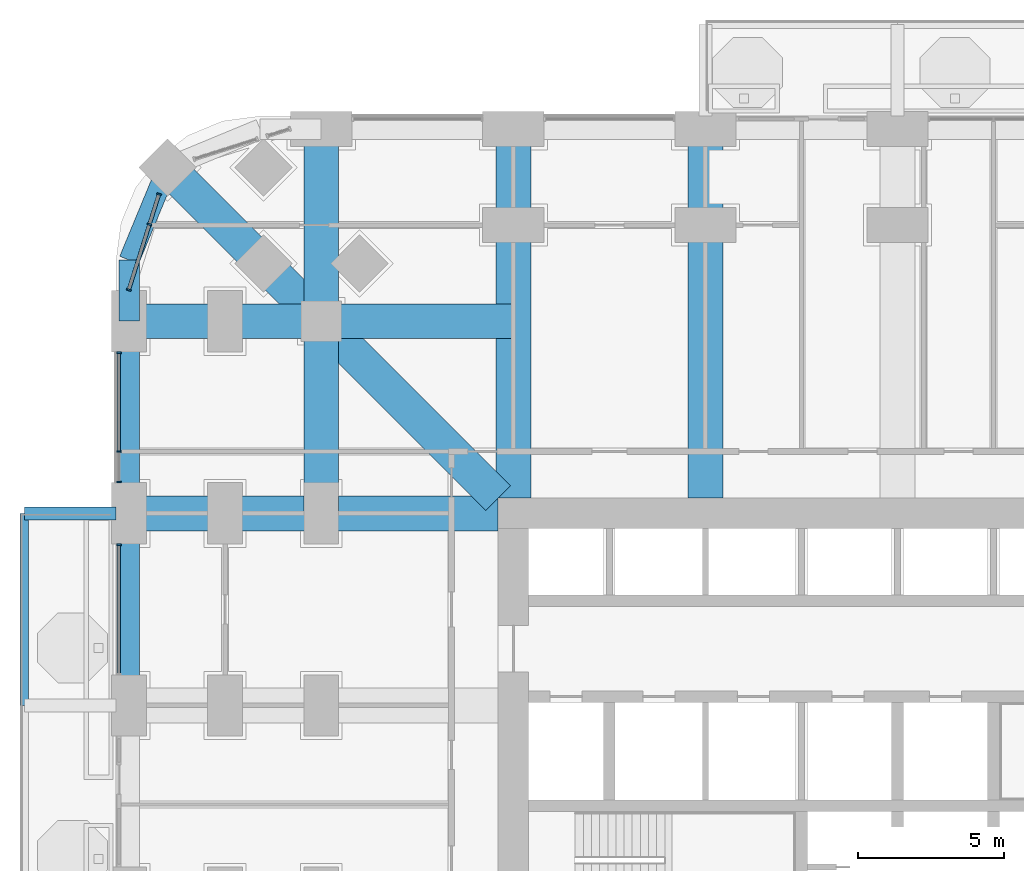
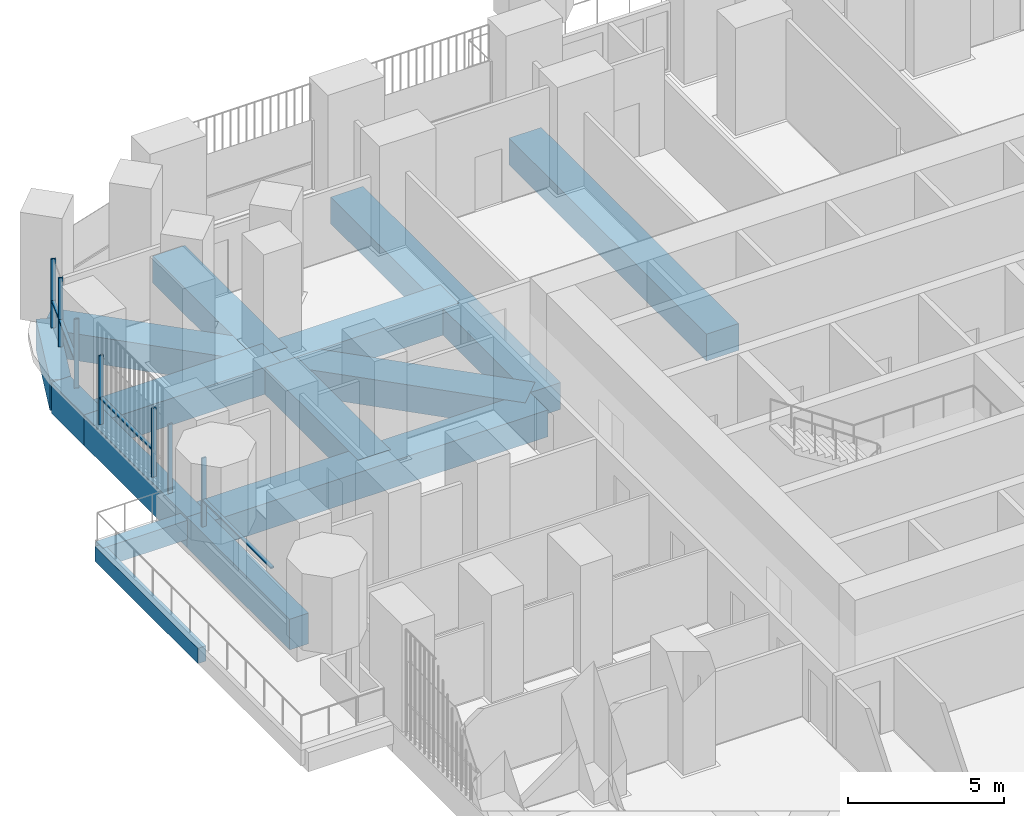
# One storey, part 6 of 26: 15 beams, 11 members, 3 elements without a shape of their own.
"""IFC4 building model written with IfcOpenShell, lengths in metres."""

import ifcopenshell
import ifcopenshell.guid

model = None  # the IFC model being written
_history = None  # IfcOwnerHistory: only IFC2X3 demands one
_inside = {}  # id of a spatial element -> (the spatial element, [elements in it])
_under = {}  # id of a project, library or spatial element -> (it, [spatial elements below it])
_declared = {}  # id of a project -> (the project, [libraries it declares])
_typed = {}  # id of a type object -> (the type object, [elements of that type])
_made_of = {}  # id of a material, layer set ... -> (it, [elements and type objects made of it])


def new_model(schema):
    """Start an empty IFC model of exactly this schema.

    Asked for "IFC4X3", IfcOpenShell would pick the latest addendum, in which some entities
    have other attributes; the version numbers below select the first issue.
    IFC2X3 requires an IfcOwnerHistory on every rooted entity: one is made here for all.
    """
    global model, _history
    if schema == "IFC4X3":
        model = ifcopenshell.file(schema_version=(4, 3, 0, 0))
    else:
        model = ifcopenshell.file(schema=schema)
    _inside.clear()
    _under.clear()
    _declared.clear()
    _typed.clear()
    _made_of.clear()
    _history = None
    if model.schema == "IFC2X3":
        org = make("IfcOrganization", Name="unknown")
        user = make(
            "IfcPersonAndOrganization",
            ThePerson=make("IfcPerson", FamilyName="unknown"),
            TheOrganization=org,
        )
        app = make(
            "IfcApplication",
            ApplicationDeveloper=org,
            Version="unknown",
            ApplicationFullName="unknown",
            ApplicationIdentifier="unknown",
        )
        _history = make(
            "IfcOwnerHistory",
            OwningUser=user,
            OwningApplication=app,
            ChangeAction="ADDED",
            CreationDate=0,
        )
    return model


def make(cls, **values):
    """One entity of the class cls with the attributes given. An attribute that is None is left unset."""
    return model.create_entity(
        cls, **{name: value for name, value in values.items() if value is not None}
    )


def rooted(cls, **values):
    """An entity with a GlobalId (a new one), such as an element, a storey or a relation."""
    return make(cls, GlobalId=ifcopenshell.guid.new(), OwnerHistory=_history, **values)


def si_unit(unit_type, name, prefix=None):
    """IfcSIUnit, for example si_unit("LENGTHUNIT", "METRE", prefix="MILLI")."""
    return make("IfcSIUnit", UnitType=unit_type, Prefix=prefix, Name=name)


def assignment(units):
    """IfcUnitAssignment: the units of a project."""
    return None if units is None else make("IfcUnitAssignment", Units=units)


def point(xyz):
    """IfcCartesianPoint."""
    return None if xyz is None else make("IfcCartesianPoint", Coordinates=xyz)


def direction(xyz):
    """IfcDirection."""
    return None if xyz is None else make("IfcDirection", DirectionRatios=xyz)


def frame(location, z_axis=None, x_axis=None):
    """IfcAxis2Placement3D, a coordinate frame: its origin and axes. An axis left out is left unset."""
    return make(
        "IfcAxis2Placement3D",
        Location=point(location),
        Axis=direction(z_axis),
        RefDirection=direction(x_axis),
    )


def frame_2d(location, x_axis=None):
    """IfcAxis2Placement2D, a coordinate frame in the plane: its origin and x axis."""
    return make(
        "IfcAxis2Placement2D", Location=point(location), RefDirection=direction(x_axis)
    )


def origin():
    """The frame at (0, 0, 0) with its axes left unset."""
    return frame((0.0, 0.0, 0.0))


def origin_2d():
    """The frame at (0, 0) in the plane with its x axis left unset."""
    return frame_2d((0.0, 0.0))


def place(relative_to, where):
    """IfcLocalPlacement: puts the frame where relative to a parent placement (None: the world)."""
    return make(
        "IfcLocalPlacement", PlacementRelTo=relative_to, RelativePlacement=where
    )


def context(
    kind, dimensions, precision=None, world=None, true_north=None, identifier=None
):
    """IfcGeometricRepresentationContext, for example the 3D "Model" context."""
    return make(
        "IfcGeometricRepresentationContext",
        ContextIdentifier=identifier,
        ContextType=kind,
        CoordinateSpaceDimension=dimensions,
        Precision=precision,
        WorldCoordinateSystem=world,
        TrueNorth=true_north,
    )


def subcontext(parent, identifier, kind, view, scale=None):
    """IfcGeometricRepresentationSubContext, for example "Body" below "Model"."""
    return make(
        "IfcGeometricRepresentationSubContext",
        ContextIdentifier=identifier,
        ContextType=kind,
        ParentContext=parent,
        TargetScale=scale,
        TargetView=view,
    )


def project(units=None, contexts=None):
    """IfcProject with its units and contexts."""
    return rooted(
        "IfcProject",
        Name="project",
        RepresentationContexts=contexts,
        UnitsInContext=assignment(units),
    )


def spatial(cls, under=None, at=None, **own):
    """A site, building, storey or space (cls), placed at a placement, below another one or the project."""
    s = rooted(cls, ObjectPlacement=at, **own)
    if under is not None:
        _under.setdefault(under.id(), (under, []))[1].append(s)
    return s


def profile(cls, at=None, kind="AREA", **sizes):
    """A parametric profile (cls). Its sizes go by their IFC names, for example OverallWidth=200.0."""
    return make(cls, ProfileType=kind, Position=at, **sizes)


def rectangle(**sizes):
    """IfcRectangleProfileDef."""
    return profile("IfcRectangleProfileDef", **sizes)


def extrude(swept, where, along, depth):
    """IfcExtrudedAreaSolid: the profile swept, set in the frame where, extruded along a direction by depth."""
    return make(
        "IfcExtrudedAreaSolid",
        SweptArea=swept,
        Position=where,
        ExtrudedDirection=direction(along),
        Depth=depth,
    )


def shape(context_of_items, identifier, shape_type, items):
    """IfcShapeRepresentation: the items that make up one representation, for example the "Body"."""
    return make(
        "IfcShapeRepresentation",
        ContextOfItems=context_of_items,
        RepresentationIdentifier=identifier,
        RepresentationType=shape_type,
        Items=items,
    )


def material(Name=None, Category=None):
    """IfcMaterial."""
    return make("IfcMaterial", Name=Name, Category=Category)


def material_profile(
    of_material, cross_section, Name=None, Category=None, Priority=None
):
    """IfcMaterialProfile: a cross section and its material."""
    return make(
        "IfcMaterialProfile",
        Name=Name,
        Material=of_material,
        Profile=cross_section,
        Priority=Priority,
        Category=Category,
    )


def profile_set(profiles, Name=None, composite=None):
    """IfcMaterialProfileSet."""
    return make(
        "IfcMaterialProfileSet",
        Name=Name,
        MaterialProfiles=profiles,
        CompositeProfile=composite,
    )


def made_of(thing, what):
    """Note that an element or type object is made of a material, layer set ...; save() writes the relation."""
    if what is not None:
        _made_of.setdefault(what.id(), (what, []))[1].append(thing)
    return thing


def type_object(cls, material=None, **own):
    """A type object (cls), such as IfcWallType, which elements share."""
    return made_of(rooted(cls, **own), material)


def element(
    cls,
    number,
    at=None,
    inside=None,
    cuts=None,
    type_object=None,
    material=None,
    context=None,
    identifier="Body",
    shape_type=None,
    held_by="IfcProductDefinitionShape",
    body=None,
    shapes=None,
    **own,
):
    """One element of the class cls, such as IfcWall. Its Tag is "e" and its number.

    at: its placement. inside: the storey or other place that contains it. cuts: it is an
    opening in that element (IfcRelVoidsElement). A single representation is given by context,
    identifier, shape_type and body (its items); several are given by shapes. held_by: the class
    of the entity that holds the representations. save() writes the other relations.
    """
    e = rooted(cls, Tag="e%d" % number, ObjectPlacement=at, **own)
    if body is not None:
        shapes = [shape(context, identifier, shape_type, body)]
    if shapes is not None:
        e.Representation = make(held_by, Representations=shapes)
    if inside is not None:
        _inside.setdefault(inside.id(), (inside, []))[1].append(e)
    if cuts is not None:
        rooted(
            "IfcRelVoidsElement", RelatingBuildingElement=cuts, RelatedOpeningElement=e
        )
    if type_object is not None:
        _typed.setdefault(type_object.id(), (type_object, []))[1].append(e)
    return made_of(e, material)


def aggregate(whole, parts):
    """IfcRelAggregates: a whole, such as a stair, and the parts it consists of."""
    return rooted("IfcRelAggregates", RelatingObject=whole, RelatedObjects=parts)


def save(model, path):
    """Write the relations noted so far, then the file.

    IfcRelAggregates (storeys below a building ...), IfcRelContainedInSpatialStructure (elements
    in a storey), IfcRelDefinesByType, IfcRelAssociatesMaterial and IfcRelDeclares: one each for
    every whole, place, type object, material and project.
    """
    for whole, parts in _under.values():
        aggregate(whole, parts)
    for where, things in _inside.values():
        rooted(
            "IfcRelContainedInSpatialStructure",
            RelatedElements=things,
            RelatingStructure=where,
        )
    for kind, things in _typed.values():
        rooted("IfcRelDefinesByType", RelatedObjects=things, RelatingType=kind)
    for what, things in _made_of.values():
        rooted("IfcRelAssociatesMaterial", RelatedObjects=things, RelatingMaterial=what)
    for by, libraries in _declared.values():
        rooted("IfcRelDeclares", RelatingContext=by, RelatedDefinitions=libraries)
    model.write(path)


model = new_model("IFC4")

# Units and contexts
model_context = context("Model", 3, precision=1e-05, world=origin(), true_north=direction((0.0, 1.0)))
body_context = subcontext(model_context, "Body", "Model", "MODEL_VIEW")
ifc_project = project(units=[si_unit("LENGTHUNIT", "METRE"), si_unit("AREAUNIT", "SQUARE_METRE"), si_unit("VOLUMEUNIT", "CUBIC_METRE"), si_unit("PLANEANGLEUNIT", "RADIAN"), si_unit("MASSUNIT", "GRAM", prefix="KILO")], contexts=[model_context])

# Site, building, storey
site_placement = place(None, origin())
site = spatial("IfcSite", under=ifc_project, at=site_placement, CompositionType="ELEMENT")
building_placement = place(site_placement, origin())
building = spatial("IfcBuilding", under=site, at=building_placement, Name="Cobogo Forest Laboratory Tower", CompositionType="ELEMENT")
storey_placement = place(building_placement, frame((0.0, 0.0, 25.5)))
storey = spatial("IfcBuildingStorey", under=building, at=storey_placement, Name="L05", CompositionType="ELEMENT", Elevation=25.5)

# Beams
ifc_material_1 = material(Name="Concrete HA-40 (C40/50)", Category="concrete")
ifc_material_profile_1 = material_profile(ifc_material_1, rectangle(XDim=0.449951171875, YDim=0.75, at=origin_2d()), Name="RC 450x750")
ifc_profile_set_1 = profile_set([ifc_material_profile_1], Name="Concrete HA-40 (C40/50)")
beam_type_1 = type_object("IfcBeamType", Name="Balcony cantilever beam 450x750", PredefinedType="BEAM", material=ifc_profile_set_1)
beam_1_placement = place(storey_placement, frame((-0.449951171875, 33.0, -0.625), z_axis=(-1.0, 0.0, 0.0), x_axis=(0.0, -1.0, 0.0)))
element("IfcBeam", 1, at=beam_1_placement, inside=storey, type_object=beam_type_1, Name="CB1 BAL-W1-C3 L05", PredefinedType="BEAM", context=body_context, shape_type="SweptSolid", body=[
    extrude(rectangle(XDim=0.449951171875, YDim=0.75, at=origin_2d()), origin(), (0.0, 0.0, 1.0), 3.150146484375),
])
ifc_material_profile_2 = material_profile(ifc_material_1, rectangle(XDim=0.300048828125, YDim=0.60009765625, at=origin_2d()), Name="RC 300x600")
ifc_profile_set_2 = profile_set([ifc_material_profile_2], Name="Concrete HA-40 (C40/50)")
beam_type_2 = type_object("IfcBeamType", Name="Balcony edge beam 300x600", PredefinedType="BEAM", material=ifc_profile_set_2)
beam_2_placement = place(storey_placement, frame((-3.60009765625, 26.39990234375, -0.550048828125), z_axis=(0.0, 1.0, 0.0), x_axis=(-1.0, 0.0, 0.0)))
element("IfcBeam", 2, at=beam_2_placement, inside=storey, type_object=beam_type_2, Name="BB1 BAL-W1-T2 L05", PredefinedType="BEAM", context=body_context, shape_type="SweptSolid", body=[
    extrude(rectangle(XDim=0.300048828125, YDim=0.60009765625, at=origin_2d()), origin(), (0.0, 0.0, 1.0), 6.60009765625),
])
ifc_material_profile_3 = material_profile(ifc_material_1, rectangle(XDim=1.199951171875, YDim=1.050048828125, at=origin_2d()), Name="RC 1200x1050")
ifc_profile_set_3 = profile_set([ifc_material_profile_3], Name="Concrete HA-40 (C40/50)")
beam_type_3 = type_object("IfcBeamType", Name="Laboratory floor wide beam 1200x1050", PredefinedType="BEAM", material=ifc_profile_set_3)
for number, where, z_axis, x_axis, name in (
    (3, (13.199951171875, 33.52490234375, -0.824951171875), (0.0, 1.0, 0.0), (-1.0, 0.0, 0.0), "RB1 R-3-N L05"),
    (4, (19.800048828125, 33.52490234375, -0.824951171875), (0.0, 1.0, 0.0), (-1.0, 0.0, 0.0), "RB1 R-4-N L05"),
    (5, (12.675048828125, 33.0, -0.824951171875), (-1.0, 0.0, 0.0), (0.0, -1.0, 0.0), "RB1 R-F-W L05"),
):
    element("IfcBeam", number, at=place(storey_placement, frame(where, z_axis=z_axis, x_axis=x_axis)), inside=storey, type_object=beam_type_3, Name=name, PredefinedType="BEAM", context=body_context, shape_type="SweptSolid", body=[
        extrude(rectangle(XDim=1.199951171875, YDim=1.050048828125, at=origin_2d()), origin(), (0.0, 0.0, 1.0), 12.675048828125),
    ])
beam_3_placement = place(storey_placement, frame((6.60009765625, 46.199951171875, -0.824951171875), z_axis=(0.0, -1.0, 0.0), x_axis=(1.0, 0.0, 0.0)))
element("IfcBeam", 6, at=beam_3_placement, inside=storey, type_object=beam_type_3, Name="RB1 G-NW-XF L05", PredefinedType="BEAM", context=body_context, shape_type="SweptSolid", body=[
    extrude(rectangle(XDim=1.199951171875, YDim=1.050048828125, at=origin_2d()), origin(), (0.0, 0.0, 1.0), 6.599853515625),
])
for number, where, z_axis, x_axis, name in (
    (7, (6.60009765625, 39.60009765625, -0.824951171875), (0.0, -1.0, 0.0), (1.0, 0.0, 0.0), "RB1 G-NW-XC L05"),
    (8, (0.0, 39.60009765625, -0.824951171875), (1.0, 0.0, 0.0), (0.0, 1.0, 0.0), "RB1 G-NW-YF L05"),
):
    element("IfcBeam", number, at=place(storey_placement, frame(where, z_axis=z_axis, x_axis=x_axis)), inside=storey, type_object=beam_type_3, Name=name, PredefinedType="BEAM", context=body_context, shape_type="SweptSolid", body=[
        extrude(rectangle(XDim=1.199951171875, YDim=1.050048828125, at=origin_2d()), origin(), (0.0, 0.0, 1.0), 6.60009765625),
    ])
beam_4_placement = place(storey_placement, frame((6.60009765625, 39.60009765625, -0.824951171875), z_axis=(1.0, 0.0, 0.0), x_axis=(0.0, 1.0, 0.0)))
element("IfcBeam", 9, at=beam_4_placement, inside=storey, type_object=beam_type_3, Name="RB1 G-NW-YC L05", PredefinedType="BEAM", context=body_context, shape_type="SweptSolid", body=[
    extrude(rectangle(XDim=1.199951171875, YDim=1.050048828125, at=origin_2d()), origin(), (0.0, 0.0, 1.0), 6.599853515625),
])
beam_5_placement = place(storey_placement, frame((1.318115234375, 44.882080078125, -0.824951171875), z_axis=(0.707106781187, -0.707106781187, 0.0), x_axis=(0.707106781187, 0.707106781187, 0.0)))
element("IfcBeam", 10, at=beam_5_placement, inside=storey, type_object=beam_type_3, Name="RB1 G-NW-D1 L05", PredefinedType="BEAM", context=body_context, shape_type="SweptSolid", body=[
    extrude(rectangle(XDim=1.199951171875, YDim=1.050048828125, at=origin_2d()), origin(), (0.0, 0.0, 1.0), 7.469970703125),
])
beam_6_placement = place(storey_placement, frame((6.60009765625, 39.60009765625, -0.824951171875), z_axis=(0.707092572697, -0.70712098939, 0.0), x_axis=(0.70712098939, 0.707092572697, 0.0)))
element("IfcBeam", 11, at=beam_6_placement, inside=storey, type_object=beam_type_3, Name="RB1 G-NW-D2 L05", PredefinedType="BEAM", context=body_context, shape_type="SweptSolid", body=[
    extrude(rectangle(XDim=1.199951171875, YDim=1.050048828125, at=origin_2d()), origin(), (0.0, 0.0, 1.0), 8.591552734375),
])

# Curtain wall, members
ifc_material_2 = material(Name="Aluminium curtain wall", Category="aluminium")
curtain_wall_type = type_object("IfcCurtainWallType", Name="CW-1 unitised curtain wall, clear glazing, laboratory floors zones A and B", PredefinedType="USERDEFINED", material=ifc_material_2)
curtain_wall_1_placement = place(storey_placement, origin())
curtain_wall_1 = element("IfcCurtainWall", 12, at=curtain_wall_1_placement, inside=storey, type_object=curtain_wall_type, Name="Curtain wall 26 L05", ObjectType="UNITISED CURTAIN WALL", PredefinedType="USERDEFINED")
ifc_material_3 = material(Name="Aluminium mullion", Category="aluminium")
ifc_material_profile_4 = material_profile(ifc_material_3, rectangle(XDim=0.06005859375, YDim=0.159912109375, at=origin_2d()), Name="AL 60x160")
ifc_profile_set_4 = profile_set([ifc_material_profile_4], Name="Aluminium mullion")
member_type_1 = type_object("IfcMemberType", Name="MU-1 aluminium mullion 60x160", PredefinedType="MULLION", material=ifc_profile_set_4)
member_1_placement = place(storey_placement, frame((1.02734375, 43.961181640625, 0.0), z_axis=(0.0, 0.0, 1.0), x_axis=(-0.30113535792, -0.95358140513, 0.0)))
member_1 = element("IfcMember", 13, at=member_1_placement, type_object=member_type_1, Name="CW-1 mullion 1", PredefinedType="MULLION", context=body_context, shape_type="SweptSolid", body=[
    extrude(rectangle(XDim=0.06005859375, YDim=0.159912109375, at=origin_2d()), origin(), (0.0, 0.0, 1.0), 2.699951171875),
])
member_2_placement = place(storey_placement, frame((0.69970703125, 42.924072265625, 0.0), z_axis=(0.0, 0.0, 1.0), x_axis=(-0.30113535792, -0.95358140513, 0.0)))
member_2 = element("IfcMember", 14, at=member_2_placement, type_object=member_type_1, Name="CW-1 mullion 2", PredefinedType="MULLION", context=body_context, shape_type="SweptSolid", body=[
    extrude(rectangle(XDim=0.06005859375, YDim=0.159912109375, at=origin_2d()), origin(), (0.0, 0.0, 1.0), 2.699951171875),
])
member_3_placement = place(storey_placement, frame((-0.00927734375, 40.6787109375, 0.0), z_axis=(0.0, 0.0, 1.0), x_axis=(-0.30113535792, -0.95358140513, 0.0)))
member_3 = element("IfcMember", 15, at=member_3_placement, type_object=member_type_1, Name="CW-1 mullion 3", PredefinedType="MULLION", context=body_context, shape_type="SweptSolid", body=[
    extrude(rectangle(XDim=0.06005859375, YDim=0.159912109375, at=origin_2d()), origin(), (0.0, 0.0, 1.0), 2.699951171875),
])

curtain_wall_2_placement = place(storey_placement, origin())
curtain_wall_2 = element("IfcCurtainWall", 16, at=curtain_wall_2_placement, inside=storey, type_object=curtain_wall_type, Name="Curtain wall 27 L05", ObjectType="UNITISED CURTAIN WALL", PredefinedType="USERDEFINED")
member_4_placement = place(storey_placement, frame((-0.35009765625, 38.52001953125, 0.0), z_axis=(0.0, 0.0, 1.0), x_axis=(0.0, -1.0, 0.0)))
member_4 = element("IfcMember", 17, at=member_4_placement, type_object=member_type_1, Name="CW-1 mullion 1", PredefinedType="MULLION", context=body_context, shape_type="SweptSolid", body=[
    extrude(rectangle(XDim=0.06005859375, YDim=0.159912109375, at=origin_2d()), origin(), (0.0, 0.0, 1.0), 2.699951171875),
])
member_5_placement = place(storey_placement, frame((-0.35009765625, 35.125, 0.0), z_axis=(0.0, 0.0, 1.0), x_axis=(0.0, -1.0, 0.0)))
member_5 = element("IfcMember", 18, at=member_5_placement, type_object=member_type_1, Name="CW-1 mullion 2", PredefinedType="MULLION", context=body_context, shape_type="SweptSolid", body=[
    extrude(rectangle(XDim=0.06005859375, YDim=0.159912109375, at=origin_2d()), origin(), (0.0, 0.0, 1.0), 2.699951171875),
])
member_6_placement = place(storey_placement, frame((-0.35009765625, 34.080078125, 0.0), z_axis=(0.0, 0.0, 1.0), x_axis=(0.0, -1.0, 0.0)))
member_6 = element("IfcMember", 19, at=member_6_placement, type_object=member_type_1, Name="CW-1 mullion 3", PredefinedType="MULLION", context=body_context, shape_type="SweptSolid", body=[
    extrude(rectangle(XDim=0.06005859375, YDim=0.159912109375, at=origin_2d()), origin(), (0.0, 0.0, 1.0), 2.699951171875),
])

# Curtain wall, member
curtain_wall_3_placement = place(storey_placement, origin())
curtain_wall_3 = element("IfcCurtainWall", 20, at=curtain_wall_3_placement, inside=storey, type_object=curtain_wall_type, Name="Curtain wall 28 L05", ObjectType="UNITISED CURTAIN WALL", PredefinedType="USERDEFINED")
member_7_placement = place(storey_placement, frame((-0.35009765625, 31.919921875, 0.0), z_axis=(0.0, 0.0, 1.0), x_axis=(0.0, -1.0, 0.0)))
member_7 = element("IfcMember", 21, at=member_7_placement, type_object=member_type_1, Name="CW-1 mullion 1", PredefinedType="MULLION", context=body_context, shape_type="SweptSolid", body=[
    extrude(rectangle(XDim=0.06005859375, YDim=0.159912109375, at=origin_2d()), origin(), (0.0, 0.0, 1.0), 2.699951171875),
])

# Beams
ifc_material_profile_5 = material_profile(ifc_material_1, rectangle(XDim=0.699951171875, YDim=1.199951171875, at=origin_2d()), Name="RC 700x1200")
ifc_profile_set_5 = profile_set([ifc_material_profile_5], Name="Concrete HA-40 (C40/50)")
beam_type_4 = type_object("IfcBeamType", Name="Perimeter edge beam 700x1200", PredefinedType="BEAM", material=ifc_profile_set_5)
for number, where, z_axis, x_axis, name in (
    (22, (0.0, 26.39990234375, -0.89990234375), (0.0, 1.0, 0.0), (-1.0, 0.0, 0.0), "EB1 E-W4 L05"),
    (23, (0.0, 33.0, -0.89990234375), (0.0, 1.0, 0.0), (-1.0, 0.0, 0.0), "EB1 E-W5 L05"),
):
    element("IfcBeam", number, at=place(storey_placement, frame(where, z_axis=z_axis, x_axis=x_axis)), inside=storey, type_object=beam_type_4, Name=name, PredefinedType="BEAM", context=body_context, shape_type="SweptSolid", body=[
        extrude(rectangle(XDim=0.699951171875, YDim=1.199951171875, at=origin_2d()), origin(), (0.0, 0.0, 1.0), 6.60009765625),
    ])
beam_7_placement = place(storey_placement, frame((0.0, 39.60009765625, -0.89990234375), z_axis=(0.0, 1.0, 0.0), x_axis=(-1.0, 0.0, 0.0)))
element("IfcBeam", 24, at=beam_7_placement, inside=storey, type_object=beam_type_4, Name="EB1 E-NWW1 L05", PredefinedType="BEAM", context=body_context, shape_type="SweptSolid", body=[
    extrude(rectangle(XDim=0.699951171875, YDim=1.199951171875, at=origin_2d()), origin(), (0.0, 0.0, 1.0), 2.099853515625),
])
beam_8_placement = place(storey_placement, frame((0.0, 41.699951171875, -0.89990234375), z_axis=(0.382691928466, 0.923876013265, 0.0), x_axis=(-0.923876013265, 0.382691928466, 0.0)))
element("IfcBeam", 25, at=beam_8_placement, inside=storey, type_object=beam_type_4, Name="EB1 E-NWW2 L05", PredefinedType="BEAM", context=body_context, shape_type="SweptSolid", body=[
    extrude(rectangle(XDim=0.699951171875, YDim=1.199951171875, at=origin_2d()), origin(), (0.0, 0.0, 1.0), 3.4443359375),
])

# Member
ifc_material_4 = material(Name="Aluminium transom", Category="aluminium")
ifc_material_profile_6 = material_profile(ifc_material_4, rectangle(XDim=0.1201171875, YDim=0.06005859375, at=origin_2d()), Name="AL 60x120")
ifc_profile_set_6 = profile_set([ifc_material_profile_6], Name="Aluminium transom")
member_type_2 = type_object("IfcMemberType", Name="TR-1 aluminium transom 60x120", PredefinedType="USERDEFINED", material=ifc_profile_set_6)
member_8_placement = place(storey_placement, frame((1.018310546875, 43.9326171875, 1.050048828125), z_axis=(-0.301222320394, -0.953553938535, 0.0), x_axis=(0.953553938535, -0.301222320394, 0.0)))
member_8 = element("IfcMember", 26, at=member_8_placement, type_object=member_type_2, Name="CW-1 transom 1.1", ObjectType="TRANSOM", PredefinedType="USERDEFINED", context=body_context, shape_type="SweptSolid", body=[
    extrude(rectangle(XDim=0.1201171875, YDim=0.06005859375, at=origin_2d()), origin(), (0.0, 0.0, 1.0), 1.02783203125),
])

member_9_placement = place(storey_placement, frame((0.690673828125, 42.8955078125, 1.050048828125), z_axis=(-0.301090633022, -0.953595527835, 0.0), x_axis=(0.953595527835, -0.301090633022, 0.0)))
member_9 = element("IfcMember", 27, at=member_9_placement, type_object=member_type_2, Name="CW-1 transom 2.1", ObjectType="TRANSOM", PredefinedType="USERDEFINED", context=body_context, shape_type="SweptSolid", body=[
    extrude(rectangle(XDim=0.1201171875, YDim=0.06005859375, at=origin_2d()), origin(), (0.0, 0.0, 1.0), 2.294677734375),
])

aggregate(curtain_wall_1, [member_1, member_2, member_3, member_8, member_9])

member_10_placement = place(storey_placement, frame((-0.35009765625, 38.489990234375, 1.050048828125), z_axis=(0.0, -1.0, 0.0), x_axis=(1.0, 0.0, 0.0)))
member_10 = element("IfcMember", 28, at=member_10_placement, type_object=member_type_2, Name="CW-1 transom 1.1", ObjectType="TRANSOM", PredefinedType="USERDEFINED", context=body_context, shape_type="SweptSolid", body=[
    extrude(rectangle(XDim=0.1201171875, YDim=0.06005859375, at=origin_2d()), origin(), (0.0, 0.0, 1.0), 3.3349609375),
])

aggregate(curtain_wall_2, [member_4, member_5, member_6, member_10])

member_11_placement = place(storey_placement, frame((-0.35009765625, 31.889892578125, 1.050048828125), z_axis=(0.0, -1.0, 0.0), x_axis=(1.0, 0.0, 0.0)))
member_11 = element("IfcMember", 29, at=member_11_placement, type_object=member_type_2, Name="CW-1 transom 1.1", ObjectType="TRANSOM", PredefinedType="USERDEFINED", context=body_context, shape_type="SweptSolid", body=[
    extrude(rectangle(XDim=0.1201171875, YDim=0.06005859375, at=origin_2d()), origin(), (0.0, 0.0, 1.0), 4.3798828125),
])

aggregate(curtain_wall_3, [member_7, member_11])

save(model, "model.ifc")
